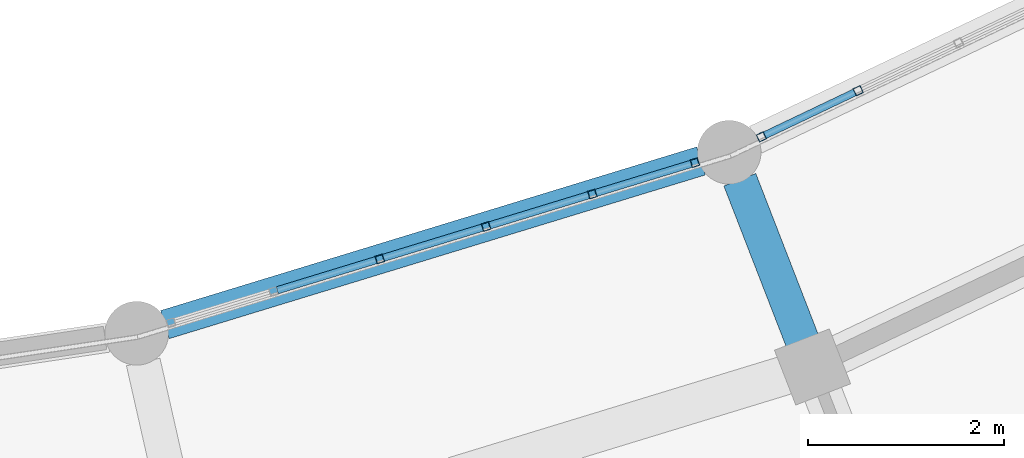
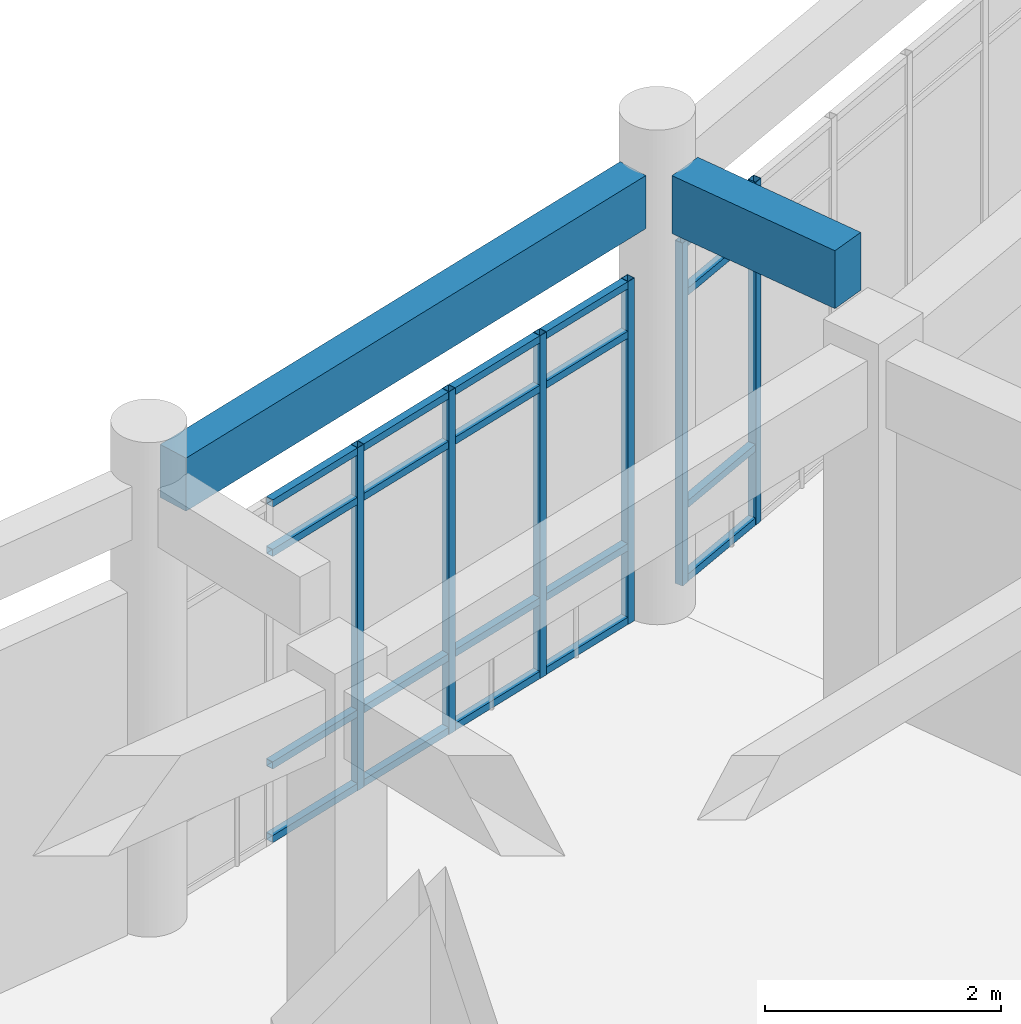
# One storey, part 38 of 159: 26 members, 2 beams, 2 elements without a shape of their own.
"""IFC4 building model written with IfcOpenShell, lengths in metres."""

from ifc_helpers import new_model, si_unit, direction, frame, origin, origin_2d, place, context, subcontext, project, spatial, rectangle, hollow_rectangle, extrude, material, material_profile, profile_set, type_object, element, aggregate, save


model = new_model("IFC4")

# Units and contexts
model_context = context("Model", 3, precision=1e-05, world=origin(), true_north=direction((0.0, 1.0)))
body_context = subcontext(model_context, "Body", "Model", "MODEL_VIEW")
ifc_project = project(units=[si_unit("LENGTHUNIT", "METRE"), si_unit("AREAUNIT", "SQUARE_METRE"), si_unit("VOLUMEUNIT", "CUBIC_METRE"), si_unit("PLANEANGLEUNIT", "RADIAN"), si_unit("MASSUNIT", "GRAM", prefix="KILO")], contexts=[model_context])

# Site, building, storey
site_placement = place(None, origin())
site = spatial("IfcSite", under=ifc_project, at=site_placement, CompositionType="ELEMENT")
building_placement = place(site_placement, origin())
building = spatial("IfcBuilding", under=site, at=building_placement, Name="Celadon Cloister-Ring School", CompositionType="ELEMENT")
storey_placement = place(building_placement, frame((0.0, 0.0, 4.5)))
storey = spatial("IfcBuildingStorey", under=building, at=storey_placement, Name="L01", CompositionType="ELEMENT", Elevation=4.5)

# Beam
ifc_material_1 = material(Name="Concrete C35/45", Category="concrete")
ifc_material_profile_1 = material_profile(ifc_material_1, rectangle(XDim=0.35009765625, YDim=0.60009765625, at=origin_2d()), Name="RC350X600")
ifc_profile_set_1 = profile_set([ifc_material_profile_1], Name="Concrete C35/45")
beam_type_1 = type_object("IfcBeamType", Name="BT-02", PredefinedType="BEAM", material=ifc_profile_set_1)
beam_1_placement = place(storey_placement, frame((103.201904296875, 17.31298828125, 4.35009765625), z_axis=(-0.361762199157, 0.932270406728, 0.0), x_axis=(-0.932270406728, -0.361762199157, 0.0)))
element("IfcBeam", 1, at=beam_1_placement, inside=storey, type_object=beam_type_1, Name="Beam 0237", PredefinedType="BEAM", context=body_context, shape_type="SweptSolid", body=[
    extrude(rectangle(XDim=0.35009765625, YDim=0.60009765625, at=origin_2d()), origin(), (0.0, 0.0, 1.0), 1.774169921875),
])

# Curtain wall, members
ifc_material_2 = material(Name="Aluminium EN AW-6063 T6", Category="aluminium")
curtain_wall_type = type_object("IfcCurtainWallType", Name="CW-01", PredefinedType="USERDEFINED", material=ifc_material_2)
curtain_wall_1_placement = place(storey_placement, origin())
curtain_wall_1 = element("IfcCurtainWall", 2, at=curtain_wall_1_placement, inside=storey, type_object=curtain_wall_type, Name="Curtain Wall 0033", ObjectType="CURTAIN WALL", PredefinedType="USERDEFINED")
ifc_material_3 = material(Name="Aluminium EN AW-6063 T6", Category="aluminium")
ifc_material_profile_2 = material_profile(ifc_material_3, hollow_rectangle(XDim=0.080078125, YDim=0.080078125, WallThickness=0.00390625, at=origin_2d()), Name="RHS80X80X4")
ifc_profile_set_2 = profile_set([ifc_material_profile_2], Name="Aluminium EN AW-6063 T6")
member_type_1 = type_object("IfcMemberType", Name="CM-03", PredefinedType="MULLION", material=ifc_profile_set_2)
member_1_placement = place(storey_placement, frame((98.887451171875, 18.158447265625, 0.0), z_axis=(0.0, 0.0, 1.0), x_axis=(-0.2921513036, 0.956372111578, 0.0)))
member_1 = element("IfcMember", 3, at=member_1_placement, type_object=member_type_1, Name="CW-01 mullion 3", PredefinedType="MULLION", context=body_context, shape_type="SweptSolid", body=[
    extrude(hollow_rectangle(XDim=0.080078125, YDim=0.080078125, WallThickness=0.00390625, at=origin_2d()), origin(), (0.0, 0.0, 1.0), 3.550048828125),
])
member_2_placement = place(storey_placement, frame((99.9716796875, 18.489501953125, 0.0), z_axis=(0.0, 0.0, 1.0), x_axis=(-0.2921513036, 0.956372111578, 0.0)))
member_2 = element("IfcMember", 4, at=member_2_placement, type_object=member_type_1, Name="CW-01 mullion 4", PredefinedType="MULLION", context=body_context, shape_type="SweptSolid", body=[
    extrude(hollow_rectangle(XDim=0.080078125, YDim=0.080078125, WallThickness=0.00390625, at=origin_2d()), origin(), (0.0, 0.0, 1.0), 3.550048828125),
])
member_3_placement = place(storey_placement, frame((101.055908203125, 18.82080078125, 0.0), z_axis=(0.0, 0.0, 1.0), x_axis=(-0.2921513036, 0.956372111578, 0.0)))
member_3 = element("IfcMember", 5, at=member_3_placement, type_object=member_type_1, Name="CW-01 mullion 5", PredefinedType="MULLION", context=body_context, shape_type="SweptSolid", body=[
    extrude(hollow_rectangle(XDim=0.080078125, YDim=0.080078125, WallThickness=0.00390625, at=origin_2d()), origin(), (0.0, 0.0, 1.0), 3.550048828125),
])
member_4_placement = place(storey_placement, frame((102.101806640625, 19.140380859375, 0.0), z_axis=(0.0, 0.0, 1.0), x_axis=(-0.2921513036, 0.956372111578, 0.0)))
member_4 = element("IfcMember", 6, at=member_4_placement, type_object=member_type_1, Name="CW-01 mullion 6", PredefinedType="MULLION", context=body_context, shape_type="SweptSolid", body=[
    extrude(hollow_rectangle(XDim=0.080078125, YDim=0.080078125, WallThickness=0.00390625, at=origin_2d()), origin(), (0.0, 0.0, 1.0), 3.550048828125),
])

curtain_wall_2_placement = place(storey_placement, origin())
curtain_wall_2 = element("IfcCurtainWall", 7, at=curtain_wall_2_placement, inside=storey, type_object=curtain_wall_type, Name="Curtain Wall 0034", ObjectType="CURTAIN WALL", PredefinedType="USERDEFINED")
member_5_placement = place(storey_placement, frame((102.780029296875, 19.404296875, 0.0), z_axis=(0.0, 0.0, 1.0), x_axis=(-0.430200582842, 0.902733326361, 0.0)))
member_5 = element("IfcMember", 8, at=member_5_placement, type_object=member_type_1, Name="CW-01 mullion 1", PredefinedType="MULLION", context=body_context, shape_type="SweptSolid", body=[
    extrude(hollow_rectangle(XDim=0.080078125, YDim=0.080078125, WallThickness=0.00390625, at=origin_2d()), origin(), (0.0, 0.0, 1.0), 3.550048828125),
])
member_6_placement = place(storey_placement, frame((103.767578125, 19.874755859375, 0.0), z_axis=(0.0, 0.0, 1.0), x_axis=(-0.430200582842, 0.902733326361, 0.0)))
member_6 = element("IfcMember", 9, at=member_6_placement, type_object=member_type_1, Name="CW-01 mullion 2", PredefinedType="MULLION", context=body_context, shape_type="SweptSolid", body=[
    extrude(hollow_rectangle(XDim=0.080078125, YDim=0.080078125, WallThickness=0.00390625, at=origin_2d()), origin(), (0.0, 0.0, 1.0), 3.550048828125),
])

# Member
ifc_material_4 = material(Name="Aluminium EN AW-6063 T6", Category="aluminium")
ifc_material_profile_3 = material_profile(ifc_material_4, hollow_rectangle(XDim=0.074951171875, YDim=0.074951171875, WallThickness=0.00390625, at=origin_2d()), Name="RHS75X75X4")
ifc_profile_set_3 = profile_set([ifc_material_profile_3], Name="Aluminium EN AW-6063 T6")
member_type_2 = type_object("IfcMemberType", Name="CTM-03", PredefinedType="USERDEFINED", material=ifc_profile_set_3)
member_7_placement = place(storey_placement, frame((97.841552734375, 17.8388671875, 0.03759765625), z_axis=(0.956353369932, 0.292212648288, 0.0), x_axis=(-0.292212648288, 0.956353369932, 0.0)))
member_7 = element("IfcMember", 10, at=member_7_placement, type_object=member_type_2, Name="CW-01 transom 2.1", ObjectType="TRANSOM", PredefinedType="USERDEFINED", context=body_context, shape_type="SweptSolid", body=[
    extrude(hollow_rectangle(XDim=0.074951171875, YDim=0.074951171875, WallThickness=0.00390625, at=origin_2d()), origin(), (0.0, 0.0, 1.0), 1.053466796875),
])

member_8_placement = place(storey_placement, frame((97.841552734375, 17.8388671875, 0.800048828125), z_axis=(0.956353369932, 0.292212648288, 0.0), x_axis=(-0.292212648288, 0.956353369932, 0.0)))
member_8 = element("IfcMember", 11, at=member_8_placement, type_object=member_type_2, Name="CW-01 transom 2.2", ObjectType="TRANSOM", PredefinedType="USERDEFINED", context=body_context, shape_type="SweptSolid", body=[
    extrude(hollow_rectangle(XDim=0.074951171875, YDim=0.074951171875, WallThickness=0.00390625, at=origin_2d()), origin(), (0.0, 0.0, 1.0), 1.053466796875),
])

member_9_placement = place(storey_placement, frame((97.841552734375, 17.8388671875, 3.0), z_axis=(0.956353369932, 0.292212648288, 0.0), x_axis=(-0.292212648288, 0.956353369932, 0.0)))
member_9 = element("IfcMember", 12, at=member_9_placement, type_object=member_type_2, Name="CW-01 transom 2.3", ObjectType="TRANSOM", PredefinedType="USERDEFINED", context=body_context, shape_type="SweptSolid", body=[
    extrude(hollow_rectangle(XDim=0.074951171875, YDim=0.074951171875, WallThickness=0.00390625, at=origin_2d()), origin(), (0.0, 0.0, 1.0), 1.053466796875),
])

member_10_placement = place(storey_placement, frame((97.841552734375, 17.8388671875, 3.512451171875), z_axis=(0.956353369932, 0.292212648288, 0.0), x_axis=(-0.292212648288, 0.956353369932, 0.0)))
member_10 = element("IfcMember", 13, at=member_10_placement, type_object=member_type_2, Name="CW-01 transom 2.4", ObjectType="TRANSOM", PredefinedType="USERDEFINED", context=body_context, shape_type="SweptSolid", body=[
    extrude(hollow_rectangle(XDim=0.074951171875, YDim=0.074951171875, WallThickness=0.00390625, at=origin_2d()), origin(), (0.0, 0.0, 1.0), 1.053466796875),
])

member_11_placement = place(storey_placement, frame((98.925537109375, 18.170166015625, 0.03759765625), z_axis=(0.956373150447, 0.292147902789, 0.0), x_axis=(-0.292147902789, 0.956373150447, 0.0)))
member_11 = element("IfcMember", 14, at=member_11_placement, type_object=member_type_2, Name="CW-01 transom 3.1", ObjectType="TRANSOM", PredefinedType="USERDEFINED", context=body_context, shape_type="SweptSolid", body=[
    extrude(hollow_rectangle(XDim=0.074951171875, YDim=0.074951171875, WallThickness=0.00390625, at=origin_2d()), origin(), (0.0, 0.0, 1.0), 1.0537109375),
])

member_12_placement = place(storey_placement, frame((98.925537109375, 18.170166015625, 0.800048828125), z_axis=(0.956373150447, 0.292147902789, 0.0), x_axis=(-0.292147902789, 0.956373150447, 0.0)))
member_12 = element("IfcMember", 15, at=member_12_placement, type_object=member_type_2, Name="CW-01 transom 3.2", ObjectType="TRANSOM", PredefinedType="USERDEFINED", context=body_context, shape_type="SweptSolid", body=[
    extrude(hollow_rectangle(XDim=0.074951171875, YDim=0.074951171875, WallThickness=0.00390625, at=origin_2d()), origin(), (0.0, 0.0, 1.0), 1.0537109375),
])

member_13_placement = place(storey_placement, frame((98.925537109375, 18.170166015625, 3.0), z_axis=(0.956373150447, 0.292147902789, 0.0), x_axis=(-0.292147902789, 0.956373150447, 0.0)))
member_13 = element("IfcMember", 16, at=member_13_placement, type_object=member_type_2, Name="CW-01 transom 3.3", ObjectType="TRANSOM", PredefinedType="USERDEFINED", context=body_context, shape_type="SweptSolid", body=[
    extrude(hollow_rectangle(XDim=0.074951171875, YDim=0.074951171875, WallThickness=0.00390625, at=origin_2d()), origin(), (0.0, 0.0, 1.0), 1.0537109375),
])

member_14_placement = place(storey_placement, frame((98.925537109375, 18.170166015625, 3.512451171875), z_axis=(0.956373150447, 0.292147902789, 0.0), x_axis=(-0.292147902789, 0.956373150447, 0.0)))
member_14 = element("IfcMember", 17, at=member_14_placement, type_object=member_type_2, Name="CW-01 transom 3.4", ObjectType="TRANSOM", PredefinedType="USERDEFINED", context=body_context, shape_type="SweptSolid", body=[
    extrude(hollow_rectangle(XDim=0.074951171875, YDim=0.074951171875, WallThickness=0.00390625, at=origin_2d()), origin(), (0.0, 0.0, 1.0), 1.0537109375),
])

member_15_placement = place(storey_placement, frame((100.009765625, 18.501220703125, 0.03759765625), z_axis=(0.956373150447, 0.292147902789, 0.0), x_axis=(-0.292147902789, 0.956373150447, 0.0)))
member_15 = element("IfcMember", 18, at=member_15_placement, type_object=member_type_2, Name="CW-01 transom 4.1", ObjectType="TRANSOM", PredefinedType="USERDEFINED", context=body_context, shape_type="SweptSolid", body=[
    extrude(hollow_rectangle(XDim=0.074951171875, YDim=0.074951171875, WallThickness=0.00390625, at=origin_2d()), origin(), (0.0, 0.0, 1.0), 1.0537109375),
])

member_16_placement = place(storey_placement, frame((100.009765625, 18.501220703125, 0.800048828125), z_axis=(0.956373150447, 0.292147902789, 0.0), x_axis=(-0.292147902789, 0.956373150447, 0.0)))
member_16 = element("IfcMember", 19, at=member_16_placement, type_object=member_type_2, Name="CW-01 transom 4.2", ObjectType="TRANSOM", PredefinedType="USERDEFINED", context=body_context, shape_type="SweptSolid", body=[
    extrude(hollow_rectangle(XDim=0.074951171875, YDim=0.074951171875, WallThickness=0.00390625, at=origin_2d()), origin(), (0.0, 0.0, 1.0), 1.0537109375),
])

member_17_placement = place(storey_placement, frame((100.009765625, 18.501220703125, 3.0), z_axis=(0.956373150447, 0.292147902789, 0.0), x_axis=(-0.292147902789, 0.956373150447, 0.0)))
member_17 = element("IfcMember", 20, at=member_17_placement, type_object=member_type_2, Name="CW-01 transom 4.3", ObjectType="TRANSOM", PredefinedType="USERDEFINED", context=body_context, shape_type="SweptSolid", body=[
    extrude(hollow_rectangle(XDim=0.074951171875, YDim=0.074951171875, WallThickness=0.00390625, at=origin_2d()), origin(), (0.0, 0.0, 1.0), 1.0537109375),
])

member_18_placement = place(storey_placement, frame((100.009765625, 18.501220703125, 3.512451171875), z_axis=(0.956373150447, 0.292147902789, 0.0), x_axis=(-0.292147902789, 0.956373150447, 0.0)))
member_18 = element("IfcMember", 21, at=member_18_placement, type_object=member_type_2, Name="CW-01 transom 4.4", ObjectType="TRANSOM", PredefinedType="USERDEFINED", context=body_context, shape_type="SweptSolid", body=[
    extrude(hollow_rectangle(XDim=0.074951171875, YDim=0.074951171875, WallThickness=0.00390625, at=origin_2d()), origin(), (0.0, 0.0, 1.0), 1.0537109375),
])

member_19_placement = place(storey_placement, frame((101.093994140625, 18.83251953125, 0.03759765625), z_axis=(0.956375872703, 0.292138991083, 0.0), x_axis=(-0.292138991083, 0.956375872703, 0.0)))
member_19 = element("IfcMember", 22, at=member_19_placement, type_object=member_type_2, Name="CW-01 transom 5.1", ObjectType="TRANSOM", PredefinedType="USERDEFINED", context=body_context, shape_type="SweptSolid", body=[
    extrude(hollow_rectangle(XDim=0.074951171875, YDim=0.074951171875, WallThickness=0.00390625, at=origin_2d()), origin(), (0.0, 0.0, 1.0), 1.013671875),
])

member_20_placement = place(storey_placement, frame((101.093994140625, 18.83251953125, 0.800048828125), z_axis=(0.956375872703, 0.292138991083, 0.0), x_axis=(-0.292138991083, 0.956375872703, 0.0)))
member_20 = element("IfcMember", 23, at=member_20_placement, type_object=member_type_2, Name="CW-01 transom 5.2", ObjectType="TRANSOM", PredefinedType="USERDEFINED", context=body_context, shape_type="SweptSolid", body=[
    extrude(hollow_rectangle(XDim=0.074951171875, YDim=0.074951171875, WallThickness=0.00390625, at=origin_2d()), origin(), (0.0, 0.0, 1.0), 1.013671875),
])

member_21_placement = place(storey_placement, frame((101.093994140625, 18.83251953125, 3.0), z_axis=(0.956375872703, 0.292138991083, 0.0), x_axis=(-0.292138991083, 0.956375872703, 0.0)))
member_21 = element("IfcMember", 24, at=member_21_placement, type_object=member_type_2, Name="CW-01 transom 5.3", ObjectType="TRANSOM", PredefinedType="USERDEFINED", context=body_context, shape_type="SweptSolid", body=[
    extrude(hollow_rectangle(XDim=0.074951171875, YDim=0.074951171875, WallThickness=0.00390625, at=origin_2d()), origin(), (0.0, 0.0, 1.0), 1.013671875),
])

member_22_placement = place(storey_placement, frame((101.093994140625, 18.83251953125, 3.512451171875), z_axis=(0.956375872703, 0.292138991083, 0.0), x_axis=(-0.292138991083, 0.956375872703, 0.0)))
member_22 = element("IfcMember", 25, at=member_22_placement, type_object=member_type_2, Name="CW-01 transom 5.4", ObjectType="TRANSOM", PredefinedType="USERDEFINED", context=body_context, shape_type="SweptSolid", body=[
    extrude(hollow_rectangle(XDim=0.074951171875, YDim=0.074951171875, WallThickness=0.00390625, at=origin_2d()), origin(), (0.0, 0.0, 1.0), 1.013671875),
])

aggregate(curtain_wall_1, [member_1, member_2, member_3, member_4, member_7, member_8, member_9, member_10, member_11, member_12, member_13, member_14, member_15, member_16, member_17, member_18, member_19, member_20, member_21, member_22])

member_23_placement = place(storey_placement, frame((102.816162109375, 19.42138671875, 0.03759765625), z_axis=(0.902695776549, 0.43027936855, 0.0), x_axis=(-0.43027936855, 0.902695776549, 0.0)))
member_23 = element("IfcMember", 26, at=member_23_placement, type_object=member_type_2, Name="CW-01 transom 1.1", ObjectType="TRANSOM", PredefinedType="USERDEFINED", context=body_context, shape_type="SweptSolid", body=[
    extrude(hollow_rectangle(XDim=0.074951171875, YDim=0.074951171875, WallThickness=0.00390625, at=origin_2d()), origin(), (0.0, 0.0, 1.0), 1.013916015625),
])

member_24_placement = place(storey_placement, frame((102.816162109375, 19.42138671875, 0.800048828125), z_axis=(0.902695776549, 0.43027936855, 0.0), x_axis=(-0.43027936855, 0.902695776549, 0.0)))
member_24 = element("IfcMember", 27, at=member_24_placement, type_object=member_type_2, Name="CW-01 transom 1.2", ObjectType="TRANSOM", PredefinedType="USERDEFINED", context=body_context, shape_type="SweptSolid", body=[
    extrude(hollow_rectangle(XDim=0.074951171875, YDim=0.074951171875, WallThickness=0.00390625, at=origin_2d()), origin(), (0.0, 0.0, 1.0), 1.013916015625),
])

member_25_placement = place(storey_placement, frame((102.816162109375, 19.42138671875, 3.0), z_axis=(0.902695776549, 0.43027936855, 0.0), x_axis=(-0.43027936855, 0.902695776549, 0.0)))
member_25 = element("IfcMember", 28, at=member_25_placement, type_object=member_type_2, Name="CW-01 transom 1.3", ObjectType="TRANSOM", PredefinedType="USERDEFINED", context=body_context, shape_type="SweptSolid", body=[
    extrude(hollow_rectangle(XDim=0.074951171875, YDim=0.074951171875, WallThickness=0.00390625, at=origin_2d()), origin(), (0.0, 0.0, 1.0), 1.013916015625),
])

member_26_placement = place(storey_placement, frame((102.816162109375, 19.42138671875, 3.512451171875), z_axis=(0.902695776549, 0.43027936855, 0.0), x_axis=(-0.43027936855, 0.902695776549, 0.0)))
member_26 = element("IfcMember", 29, at=member_26_placement, type_object=member_type_2, Name="CW-01 transom 1.4", ObjectType="TRANSOM", PredefinedType="USERDEFINED", context=body_context, shape_type="SweptSolid", body=[
    extrude(hollow_rectangle(XDim=0.074951171875, YDim=0.074951171875, WallThickness=0.00390625, at=origin_2d()), origin(), (0.0, 0.0, 1.0), 1.013916015625),
])

aggregate(curtain_wall_2, [member_5, member_6, member_23, member_24, member_25, member_26])

# Beam
ifc_material_5 = material(Name="Concrete C35/45", Category="concrete")
ifc_material_profile_4 = material_profile(ifc_material_5, rectangle(XDim=0.300048828125, YDim=0.550048828125, at=origin_2d()), Name="RC300X550")
ifc_profile_set_4 = profile_set([ifc_material_profile_4], Name="Concrete C35/45")
beam_type_2 = type_object("IfcBeamType", Name="SP-02", PredefinedType="SPANDREL", material=ifc_profile_set_4)
beam_2_placement = place(storey_placement, frame((96.695068359375, 17.489013671875, 4.375), z_axis=(0.956408228497, 0.292033046869, 0.0), x_axis=(-0.292033046869, 0.956408228497, 0.0)))
element("IfcBeam", 30, at=beam_2_placement, inside=storey, type_object=beam_type_2, Name="Beam 0337", PredefinedType="SPANDREL", context=body_context, shape_type="SweptSolid", body=[
    extrude(rectangle(XDim=0.300048828125, YDim=0.550048828125, at=origin_2d()), origin(), (0.0, 0.0, 1.0), 5.71826171875),
])

save(model, "model.ifc")
